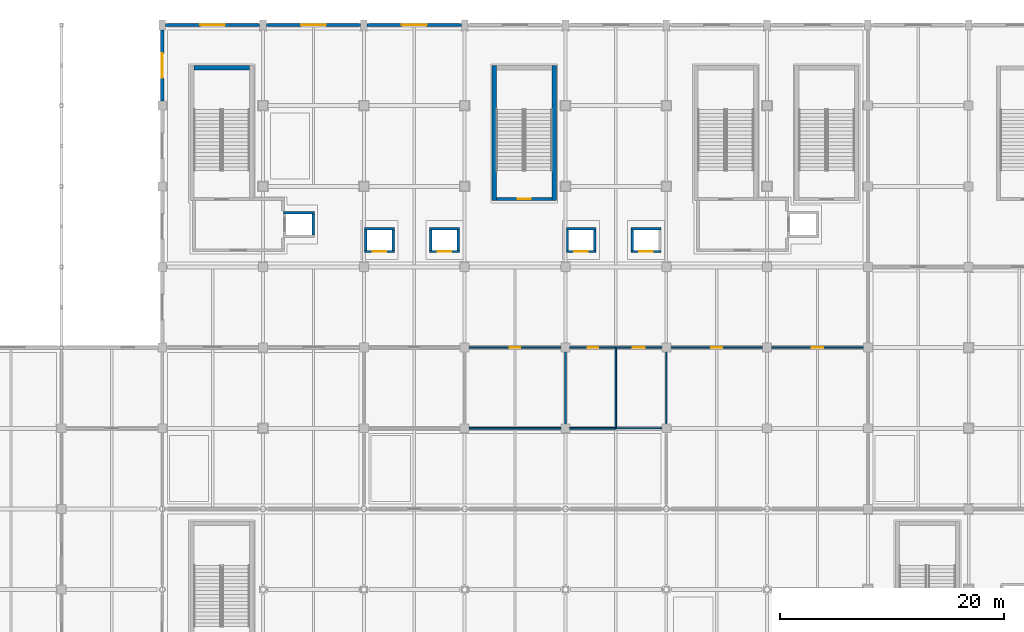
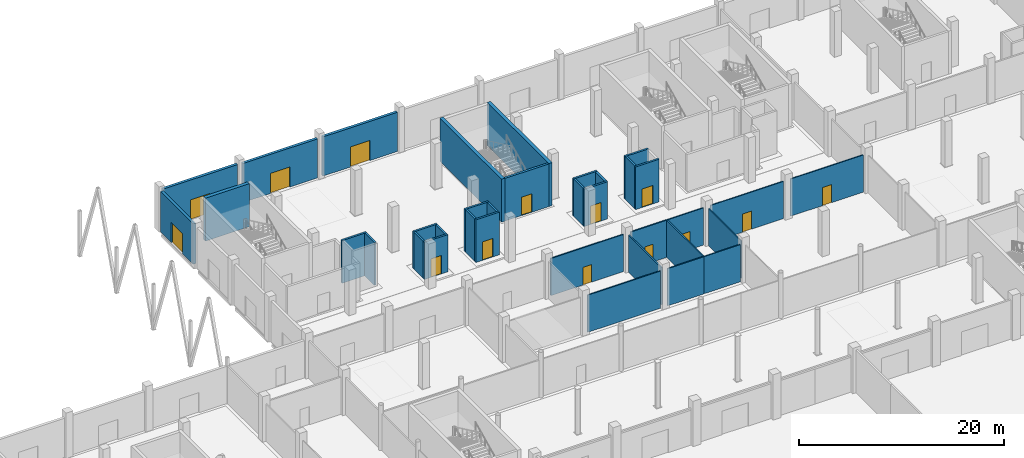
# One storey, part 96 of 137: 36 walls, 14 doors, 14 openings.
"""IFC4 building model written with IfcOpenShell, lengths in metres."""

from ifc_helpers import new_model, si_unit, direction, frame, frame_2d, origin, place, context, subcontext, project, spatial, rectangle, extrude, material, layer, layer_set, type_object, element, fill, save


model = new_model("IFC4")

# Units and contexts
model_context = context("Model", 3, precision=1e-05, world=origin(), true_north=direction((0.0, 1.0)))
body_context = subcontext(model_context, "Body", "Model", "MODEL_VIEW")
ifc_project = project(units=[si_unit("LENGTHUNIT", "METRE"), si_unit("AREAUNIT", "SQUARE_METRE"), si_unit("VOLUMEUNIT", "CUBIC_METRE"), si_unit("PLANEANGLEUNIT", "RADIAN"), si_unit("MASSUNIT", "GRAM", prefix="KILO")], contexts=[model_context])

# Site, building, storey
site_placement = place(None, origin())
site = spatial("IfcSite", under=ifc_project, at=site_placement, CompositionType="ELEMENT")
building_placement = place(site_placement, origin())
building = spatial("IfcBuilding", under=site, at=building_placement, Name="Celestram Park Convention Centre", CompositionType="ELEMENT")
storey_placement = place(building_placement, origin())
storey = spatial("IfcBuildingStorey", under=building, at=storey_placement, Name="L00", CompositionType="ELEMENT", Elevation=0.0)

# Wall, opening, door
ifc_material_1 = material(Name="Concrete Block Masonry C25/30", Category="masonry")
ifc_layer_1 = layer(ifc_material_1, 0.25)
ifc_layer_set_1 = layer_set([ifc_layer_1], Name="Concrete Block Masonry C25/30")
wall_type_1 = type_object("IfcWallType", Name="ARC-WL-COR250", PredefinedType="STANDARD", material=ifc_layer_set_1)
wall_1_placement = place(storey_placement, frame((70.800048828125, 150.074951171875, 0.0), z_axis=(0.0, 0.0, 1.0), x_axis=(-1.0, 0.0, 0.0)))
wall_1 = element("IfcWall", 1, at=wall_1_placement, inside=storey, type_object=wall_type_1, Name="Core S14 stair entrance wall", PredefinedType="STANDARD", context=body_context, shape_type="SweptSolid", body=[
    extrude(rectangle(XDim=4.9599609375, YDim=0.25, at=frame_2d((2.47998046875, 0.0))), origin(), (0.0, 0.0, 1.0), 5.080078125),
])
opening_1_placement = place(wall_1_placement, frame((1.905029296875, 0.0, 0.0)))
opening_1 = element("IfcOpeningElement", 2, at=opening_1_placement, cuts=wall_1, Name="Opening D-ST1", PredefinedType="OPENING", context=body_context, shape_type="SweptSolid", body=[
    extrude(rectangle(XDim=1.14990234375, YDim=2.199951171875, at=frame_2d((0.574951171875, 1.10009765625))), frame((0.0, 0.135009765625, 0.0), z_axis=(0.0, -1.0, 0.0), x_axis=(1.0, 0.0, 0.0)), (0.0, 0.0, 1.0), 0.27001953125),
])
ifc_material_2 = material(Name="Fire-Rated Hollow Metal Steel ASTM A653", Category="steel")
door_type_1 = type_object("IfcDoorType", Name="ARC-DR-ST115", OperationType="NOTDEFINED", PredefinedType="DOOR", material=ifc_material_2)
door_1_placement = place(opening_1_placement, origin())
door_1 = element("IfcDoor", 3, at=door_1_placement, inside=storey, type_object=door_type_1, Name="Exit stair ST-14 fire door", OperationType="SINGLE_SWING_LEFT", OverallHeight=2.199951171875, OverallWidth=1.14990234375, PredefinedType="DOOR", context=body_context, shape_type="SweptSolid", body=[
    extrude(rectangle(XDim=1.14990234375, YDim=2.199951171875, at=frame_2d((0.574951171875, 1.10009765625))), frame((0.0, 0.02490234375, 0.0), z_axis=(0.0, -1.0, 0.0), x_axis=(1.0, 0.0, 0.0)), (0.0, 0.0, 1.0), 0.050048828125),
])
fill(opening_1, door_1)

ifc_material_3 = material(Name="Precast Concrete C40/50", Category="concrete")
ifc_layer_2 = layer(ifc_material_3, 0.300048828125)
ifc_layer_set_2 = layer_set([ifc_layer_2], Name="Precast Concrete C40/50")
wall_type_2 = type_object("IfcWallType", Name="ARC-WL-EXT300", PredefinedType="STANDARD", material=ifc_layer_set_2)
wall_2_placement = place(storey_placement, frame((36.0, 158.798095703125, 0.0), z_axis=(0.0, 0.0, 1.0), x_axis=(0.0, 1.0, 0.0)))
wall_2 = element("IfcWall", 4, at=wall_2_placement, inside=storey, type_object=wall_type_2, Name="Bush-hammered precast exterior wall WL-L00-EW024", PredefinedType="STANDARD", context=body_context, shape_type="SweptSolid", body=[
    extrude(rectangle(XDim=6.35400390625, YDim=0.300048828125, at=frame_2d((3.177001953125, 0.0))), origin(), (0.0, 0.0, 1.0), 4.820068359375),
])
opening_2_placement = place(wall_2_placement, frame((2.076904296875, 0.0, 0.0)))
opening_2 = element("IfcOpeningElement", 5, at=opening_2_placement, cuts=wall_2, Name="Opening D-EX1", PredefinedType="OPENING", context=body_context, shape_type="SweptSolid", body=[
    extrude(rectangle(XDim=2.199951171875, YDim=2.39990234375, at=frame_2d((1.10009765625, 1.199951171875))), frame((0.0, 0.159912109375, 0.0), z_axis=(0.0, -1.0, 0.0), x_axis=(1.0, 0.0, 0.0)), (0.0, 0.0, 1.0), 0.320068359375),
])
ifc_material_4 = material(Name="Anodised Aluminium & Tempered Glass", Category="aluminium")
door_type_2 = type_object("IfcDoorType", Name="ARC-DR-EX2200", OperationType="NOTDEFINED", PredefinedType="DOOR", material=ifc_material_4)
door_2_placement = place(opening_2_placement, origin())
door_2 = element("IfcDoor", 6, at=door_2_placement, inside=storey, type_object=door_type_2, Name="Ground egress exit door DR-L00-EX23", OperationType="DOUBLE_DOOR_SINGLE_SWING", OverallHeight=2.39990234375, OverallWidth=2.199951171875, PredefinedType="DOOR", context=body_context, shape_type="SweptSolid", body=[
    extrude(rectangle(XDim=2.199951171875, YDim=2.39990234375, at=frame_2d((1.10009765625, 1.199951171875))), frame((0.0, 0.02490234375, 0.0), z_axis=(0.0, -1.0, 0.0), x_axis=(1.0, 0.0, 0.0)), (0.0, 0.0, 1.0), 0.050048828125),
])
fill(opening_2, door_2)

wall_3_placement = place(storey_placement, frame((36.298095703125, 165.60009765625, 0.0), z_axis=(0.0, 0.0, 1.0), x_axis=(1.0, 0.0, 0.0)))
wall_3 = element("IfcWall", 7, at=wall_3_placement, inside=storey, type_object=wall_type_2, Name="Bush-hammered precast exterior wall WL-L00-EW025", PredefinedType="STANDARD", context=body_context, shape_type="SweptSolid", body=[
    extrude(rectangle(XDim=8.40380859375, YDim=0.300048828125, at=frame_2d((4.201904296875, 0.0))), origin(), (0.0, 0.0, 1.0), 4.7470703125),
])
opening_3_placement = place(wall_3_placement, frame((3.10205078125, 0.0, 0.0)))
opening_3 = element("IfcOpeningElement", 8, at=opening_3_placement, cuts=wall_3, Name="Opening D-EX1", PredefinedType="OPENING", context=body_context, shape_type="SweptSolid", body=[
    extrude(rectangle(XDim=2.199951171875, YDim=2.39990234375, at=frame_2d((1.10009765625, 1.199951171875))), frame((0.0, 0.159912109375, 0.0), z_axis=(0.0, -1.0, 0.0), x_axis=(1.0, 0.0, 0.0)), (0.0, 0.0, 1.0), 0.320068359375),
])
door_3_placement = place(opening_3_placement, origin())
door_3 = element("IfcDoor", 9, at=door_3_placement, inside=storey, type_object=door_type_2, Name="Ground egress exit door DR-L00-EX24", OperationType="DOUBLE_DOOR_SINGLE_SWING", OverallHeight=2.39990234375, OverallWidth=2.199951171875, PredefinedType="DOOR", context=body_context, shape_type="SweptSolid", body=[
    extrude(rectangle(XDim=2.199951171875, YDim=2.39990234375, at=frame_2d((1.10009765625, 1.199951171875))), frame((0.0, 0.02490234375, 0.0), z_axis=(0.0, -1.0, 0.0), x_axis=(1.0, 0.0, 0.0)), (0.0, 0.0, 1.0), 0.050048828125),
])
fill(opening_3, door_3)

wall_4_placement = place(storey_placement, frame((45.298095703125, 165.60009765625, 0.0), z_axis=(0.0, 0.0, 1.0), x_axis=(1.0, 0.0, 0.0)))
wall_4 = element("IfcWall", 10, at=wall_4_placement, inside=storey, type_object=wall_type_2, Name="Bush-hammered precast exterior wall WL-L00-EW026", PredefinedType="STANDARD", context=body_context, shape_type="SweptSolid", body=[
    extrude(rectangle(XDim=8.40380859375, YDim=0.300048828125, at=frame_2d((4.201904296875, 0.0))), origin(), (0.0, 0.0, 1.0), 4.653076171875),
])
opening_4_placement = place(wall_4_placement, frame((3.10205078125, 0.0, 0.0)))
opening_4 = element("IfcOpeningElement", 11, at=opening_4_placement, cuts=wall_4, Name="Opening D-EX1", PredefinedType="OPENING", context=body_context, shape_type="SweptSolid", body=[
    extrude(rectangle(XDim=2.199951171875, YDim=2.39990234375, at=frame_2d((1.10009765625, 1.199951171875))), frame((0.0, 0.159912109375, 0.0), z_axis=(0.0, -1.0, 0.0), x_axis=(1.0, 0.0, 0.0)), (0.0, 0.0, 1.0), 0.320068359375),
])
door_4_placement = place(opening_4_placement, origin())
door_4 = element("IfcDoor", 12, at=door_4_placement, inside=storey, type_object=door_type_2, Name="Ground egress exit door DR-L00-EX25", OperationType="DOUBLE_DOOR_SINGLE_SWING", OverallHeight=2.39990234375, OverallWidth=2.199951171875, PredefinedType="DOOR", context=body_context, shape_type="SweptSolid", body=[
    extrude(rectangle(XDim=2.199951171875, YDim=2.39990234375, at=frame_2d((1.10009765625, 1.199951171875))), frame((0.0, 0.02490234375, 0.0), z_axis=(0.0, -1.0, 0.0), x_axis=(1.0, 0.0, 0.0)), (0.0, 0.0, 1.0), 0.050048828125),
])
fill(opening_4, door_4)

wall_5_placement = place(storey_placement, frame((54.298095703125, 165.60009765625, 0.0), z_axis=(0.0, 0.0, 1.0), x_axis=(1.0, 0.0, 0.0)))
wall_5 = element("IfcWall", 13, at=wall_5_placement, inside=storey, type_object=wall_type_2, Name="Bush-hammered precast exterior wall WL-L00-EW027", PredefinedType="STANDARD", context=body_context, shape_type="SweptSolid", body=[
    extrude(rectangle(XDim=8.40380859375, YDim=0.300048828125, at=frame_2d((4.201904296875, 0.0))), origin(), (0.0, 0.0, 1.0), 4.6630859375),
])
opening_5_placement = place(wall_5_placement, frame((3.10205078125, 0.0, 0.0)))
opening_5 = element("IfcOpeningElement", 14, at=opening_5_placement, cuts=wall_5, Name="Opening D-EX1", PredefinedType="OPENING", context=body_context, shape_type="SweptSolid", body=[
    extrude(rectangle(XDim=2.199951171875, YDim=2.39990234375, at=frame_2d((1.10009765625, 1.199951171875))), frame((0.0, 0.159912109375, 0.0), z_axis=(0.0, -1.0, 0.0), x_axis=(1.0, 0.0, 0.0)), (0.0, 0.0, 1.0), 0.320068359375),
])
door_5_placement = place(opening_5_placement, origin())
door_5 = element("IfcDoor", 15, at=door_5_placement, inside=storey, type_object=door_type_2, Name="Ground egress exit door DR-L00-EX26", OperationType="DOUBLE_DOOR_SINGLE_SWING", OverallHeight=2.39990234375, OverallWidth=2.199951171875, PredefinedType="DOOR", context=body_context, shape_type="SweptSolid", body=[
    extrude(rectangle(XDim=2.199951171875, YDim=2.39990234375, at=frame_2d((1.10009765625, 1.199951171875))), frame((0.0, 0.02490234375, 0.0), z_axis=(0.0, -1.0, 0.0), x_axis=(1.0, 0.0, 0.0)), (0.0, 0.0, 1.0), 0.050048828125),
])
fill(opening_5, door_5)

# Wall
ifc_material_5 = material(Name="Standard Gypsum & Steel Stud 120 mm", Category="steel")
ifc_layer_3 = layer(ifc_material_5, 0.1201171875)
ifc_layer_set_3 = layer_set([ifc_layer_3], Name="Standard Gypsum & Steel Stud 120 mm")
wall_type_3 = type_object("IfcWallType", Name="ARC-WL-PRT120", PredefinedType="PARTITIONING", material=ifc_layer_set_3)
wall_6_placement = place(storey_placement, frame((76.5, 129.60009765625, 0.0), z_axis=(0.0, 0.0, 1.0), x_axis=(1.0, 0.0, 0.0)))
element("IfcWall", 16, at=wall_6_placement, inside=storey, type_object=wall_type_3, Name="Interior partition WL-L00-IN0586", PredefinedType="PARTITIONING", context=body_context, shape_type="SweptSolid", body=[
    extrude(rectangle(XDim=4.10205078125, YDim=0.1201171875, at=frame_2d((2.051025390625, 0.0))), origin(), (0.0, 0.0, 1.0), 4.424072265625),
])

# Wall, opening, door
wall_7_placement = place(storey_placement, frame((76.5, 136.800048828125, 0.0), z_axis=(0.0, 0.0, 1.0), x_axis=(1.0, 0.0, 0.0)))
wall_7 = element("IfcWall", 17, at=wall_7_placement, inside=storey, type_object=wall_type_3, Name="Interior partition WL-L00-IN0592", PredefinedType="PARTITIONING", context=body_context, shape_type="SweptSolid", body=[
    extrude(rectangle(XDim=4.10205078125, YDim=0.1201171875, at=frame_2d((2.051025390625, 0.0))), origin(), (0.0, 0.0, 1.0), 4.424072265625),
])
opening_6_placement = place(wall_7_placement, frame((1.52587890625, 0.0, 0.0)))
opening_6 = element("IfcOpeningElement", 18, at=opening_6_placement, cuts=wall_7, Name="Opening D-06", PredefinedType="OPENING", context=body_context, shape_type="SweptSolid", body=[
    extrude(rectangle(XDim=1.050048828125, YDim=2.14990234375, at=frame_2d((0.52490234375, 1.074951171875))), frame((0.0, 0.070068359375, 0.0), z_axis=(0.0, -1.0, 0.0), x_axis=(1.0, 0.0, 0.0)), (0.0, 0.0, 1.0), 0.14013671875),
])
ifc_material_6 = material(Name="Solid Core White Oak Single Door", Category="wood")
door_type_3 = type_object("IfcDoorType", Name="ARC-DR-RM105", OperationType="NOTDEFINED", PredefinedType="DOOR", material=ifc_material_6)
door_6_placement = place(opening_6_placement, origin())
door_6 = element("IfcDoor", 19, at=door_6_placement, inside=storey, type_object=door_type_3, Name="Wellness & Nursing Suite L00 entrance door", OperationType="SINGLE_SWING_LEFT", OverallHeight=2.14990234375, OverallWidth=1.050048828125, PredefinedType="DOOR", context=body_context, shape_type="SweptSolid", body=[
    extrude(rectangle(XDim=1.050048828125, YDim=2.14990234375, at=frame_2d((0.52490234375, 1.074951171875))), frame((0.0, 0.02490234375, 0.0), z_axis=(0.0, -1.0, 0.0), x_axis=(1.0, 0.0, 0.0)), (0.0, 0.0, 1.0), 0.050048828125),
])
fill(opening_6, door_6)

wall_8_placement = place(storey_placement, frame((81.39794921875, 136.800048828125, 0.0), z_axis=(0.0, 0.0, 1.0), x_axis=(1.0, 0.0, 0.0)))
wall_8 = element("IfcWall", 20, at=wall_8_placement, inside=storey, type_object=wall_type_3, Name="Interior partition WL-L00-IN0593", PredefinedType="PARTITIONING", context=body_context, shape_type="SweptSolid", body=[
    extrude(rectangle(XDim=8.2041015625, YDim=0.1201171875, at=frame_2d((4.10205078125, 0.0))), origin(), (0.0, 0.0, 1.0), 4.424072265625),
])
opening_7_placement = place(wall_8_placement, frame((3.60205078125, 0.0, 0.0)))
opening_7 = element("IfcOpeningElement", 21, at=opening_7_placement, cuts=wall_8, Name="Opening D-07", PredefinedType="OPENING", context=body_context, shape_type="SweptSolid", body=[
    extrude(rectangle(XDim=1.0, YDim=2.14990234375, at=frame_2d((0.5, 1.074951171875))), frame((0.0, 0.070068359375, 0.0), z_axis=(0.0, -1.0, 0.0), x_axis=(1.0, 0.0, 0.0)), (0.0, 0.0, 1.0), 0.14013671875),
])
door_type_4 = type_object("IfcDoorType", Name="ARC-DR-RM100", OperationType="NOTDEFINED", PredefinedType="DOOR", material=ifc_material_6)
door_7_placement = place(opening_7_placement, origin())
door_7 = element("IfcDoor", 22, at=door_7_placement, inside=storey, type_object=door_type_4, Name="Exhibitor Business Centre entrance door", OperationType="SINGLE_SWING_RIGHT", OverallHeight=2.14990234375, OverallWidth=1.0, PredefinedType="DOOR", context=body_context, shape_type="SweptSolid", body=[
    extrude(rectangle(XDim=1.0, YDim=2.14990234375, at=frame_2d((0.5, 1.074951171875))), frame((0.0, 0.02490234375, 0.0), z_axis=(0.0, -1.0, 0.0), x_axis=(1.0, 0.0, 0.0)), (0.0, 0.0, 1.0), 0.050048828125),
])
fill(opening_7, door_7)

wall_9_placement = place(storey_placement, frame((90.39794921875, 136.800048828125, 0.0), z_axis=(0.0, 0.0, 1.0), x_axis=(1.0, 0.0, 0.0)))
wall_9 = element("IfcWall", 23, at=wall_9_placement, inside=storey, type_object=wall_type_3, Name="Interior partition WL-L00-IN0594", PredefinedType="PARTITIONING", context=body_context, shape_type="SweptSolid", body=[
    extrude(rectangle(XDim=8.2041015625, YDim=0.1201171875, at=frame_2d((4.10205078125, 0.0))), origin(), (0.0, 0.0, 1.0), 4.424072265625),
])
opening_8_placement = place(wall_9_placement, frame((3.576904296875, 0.0, 0.0)))
opening_8 = element("IfcOpeningElement", 24, at=opening_8_placement, cuts=wall_9, Name="Opening D-06", PredefinedType="OPENING", context=body_context, shape_type="SweptSolid", body=[
    extrude(rectangle(XDim=1.050048828125, YDim=2.14990234375, at=frame_2d((0.52490234375, 1.074951171875))), frame((0.0, 0.070068359375, 0.0), z_axis=(0.0, -1.0, 0.0), x_axis=(1.0, 0.0, 0.0)), (0.0, 0.0, 1.0), 0.14013671875),
])
door_8_placement = place(opening_8_placement, origin())
door_8 = element("IfcDoor", 25, at=door_8_placement, inside=storey, type_object=door_type_3, Name="Exhibitor Business Centre entrance door", OperationType="SINGLE_SWING_LEFT", OverallHeight=2.14990234375, OverallWidth=1.050048828125, PredefinedType="DOOR", context=body_context, shape_type="SweptSolid", body=[
    extrude(rectangle(XDim=1.050048828125, YDim=2.14990234375, at=frame_2d((0.52490234375, 1.074951171875))), frame((0.0, 0.02490234375, 0.0), z_axis=(0.0, -1.0, 0.0), x_axis=(1.0, 0.0, 0.0)), (0.0, 0.0, 1.0), 0.050048828125),
])
fill(opening_8, door_8)

# Walls
wall_10_placement = place(storey_placement, frame((81.0, 129.998046875, 0.0), z_axis=(0.0, 0.0, 1.0), x_axis=(0.0, 1.0, 0.0)))
element("IfcWall", 26, at=wall_10_placement, inside=storey, type_object=wall_type_3, Name="Interior partition WL-L00-IN0644", PredefinedType="PARTITIONING", context=body_context, shape_type="SweptSolid", body=[
    extrude(rectangle(XDim=6.404052734375, YDim=0.1201171875, at=frame_2d((3.2021484375, 0.0))), origin(), (0.0, 0.0, 1.0), 4.43701171875),
])
ifc_material_7 = material(Name="Moisture-Resistant Gypsum Partition 140 mm", Category="gypsum")
ifc_layer_4 = layer(ifc_material_7, 0.139892578125)
ifc_layer_set_4 = layer_set([ifc_layer_4], Name="Moisture-Resistant Gypsum Partition 140 mm")
wall_type_4 = type_object("IfcWallType", Name="ARC-WL-PRT140", PredefinedType="PARTITIONING", material=ifc_layer_set_4)
wall_11_placement = place(storey_placement, frame((63.39794921875, 129.60009765625, 0.0), z_axis=(0.0, 0.0, 1.0), x_axis=(1.0, 0.0, 0.0)))
element("IfcWall", 27, at=wall_11_placement, inside=storey, type_object=wall_type_4, Name="Interior partition WL-L00-IN0584", PredefinedType="PARTITIONING", context=body_context, shape_type="SweptSolid", body=[
    extrude(rectangle(XDim=8.2041015625, YDim=0.139892578125, at=frame_2d((4.10205078125, 0.0))), origin(), (0.0, 0.0, 1.0), 4.424072265625),
])
wall_12_placement = place(storey_placement, frame((72.39794921875, 129.60009765625, 0.0), z_axis=(0.0, 0.0, 1.0), x_axis=(1.0, 0.0, 0.0)))
element("IfcWall", 28, at=wall_12_placement, inside=storey, type_object=wall_type_4, Name="Interior partition WL-L00-IN0585", PredefinedType="PARTITIONING", context=body_context, shape_type="SweptSolid", body=[
    extrude(rectangle(XDim=4.10205078125, YDim=0.139892578125, at=frame_2d((2.051025390625, 0.0))), origin(), (0.0, 0.0, 1.0), 4.424072265625),
])

# Wall, opening, door
wall_13_placement = place(storey_placement, frame((63.39794921875, 136.800048828125, 0.0), z_axis=(0.0, 0.0, 1.0), x_axis=(1.0, 0.0, 0.0)))
wall_13 = element("IfcWall", 29, at=wall_13_placement, inside=storey, type_object=wall_type_4, Name="Interior partition WL-L00-IN0590", PredefinedType="PARTITIONING", context=body_context, shape_type="SweptSolid", body=[
    extrude(rectangle(XDim=8.2041015625, YDim=0.139892578125, at=frame_2d((4.10205078125, 0.0))), origin(), (0.0, 0.0, 1.0), 4.424072265625),
])
opening_9_placement = place(wall_13_placement, frame((3.626953125, 0.0, 0.0)))
opening_9 = element("IfcOpeningElement", 30, at=opening_9_placement, cuts=wall_13, Name="Opening D-08", PredefinedType="OPENING", context=body_context, shape_type="SweptSolid", body=[
    extrude(rectangle(XDim=0.949951171875, YDim=2.10009765625, at=frame_2d((0.47509765625, 1.050048828125))), frame((0.0, 0.079833984375, 0.0), z_axis=(0.0, -1.0, 0.0), x_axis=(1.0, 0.0, 0.0)), (0.0, 0.0, 1.0), 0.159912109375),
])
ifc_material_8 = material(Name="Laminate Moisture-Resistant Restroom Door", Category="wood")
door_type_5 = type_object("IfcDoorType", Name="ARC-DR-WC095", OperationType="NOTDEFINED", PredefinedType="DOOR", material=ifc_material_8)
door_9_placement = place(opening_9_placement, origin())
door_9 = element("IfcDoor", 31, at=door_9_placement, inside=storey, type_object=door_type_5, Name="Women Restroom L00 entrance door", OperationType="SINGLE_SWING_LEFT", OverallHeight=2.10009765625, OverallWidth=0.949951171875, PredefinedType="DOOR", context=body_context, shape_type="SweptSolid", body=[
    extrude(rectangle(XDim=0.949951171875, YDim=2.10009765625, at=frame_2d((0.47509765625, 1.050048828125))), frame((0.0, 0.02490234375, 0.0), z_axis=(0.0, -1.0, 0.0), x_axis=(1.0, 0.0, 0.0)), (0.0, 0.0, 1.0), 0.050048828125),
])
fill(opening_9, door_9)

wall_14_placement = place(storey_placement, frame((72.39794921875, 136.800048828125, 0.0), z_axis=(0.0, 0.0, 1.0), x_axis=(1.0, 0.0, 0.0)))
wall_14 = element("IfcWall", 32, at=wall_14_placement, inside=storey, type_object=wall_type_4, Name="Interior partition WL-L00-IN0591", PredefinedType="PARTITIONING", context=body_context, shape_type="SweptSolid", body=[
    extrude(rectangle(XDim=4.10205078125, YDim=0.139892578125, at=frame_2d((2.051025390625, 0.0))), origin(), (0.0, 0.0, 1.0), 4.424072265625),
])
opening_10_placement = place(wall_14_placement, frame((1.575927734375, 0.0, 0.0)))
opening_10 = element("IfcOpeningElement", 33, at=opening_10_placement, cuts=wall_14, Name="Opening D-08", PredefinedType="OPENING", context=body_context, shape_type="SweptSolid", body=[
    extrude(rectangle(XDim=0.949951171875, YDim=2.10009765625, at=frame_2d((0.47509765625, 1.050048828125))), frame((0.0, 0.079833984375, 0.0), z_axis=(0.0, -1.0, 0.0), x_axis=(1.0, 0.0, 0.0)), (0.0, 0.0, 1.0), 0.159912109375),
])
door_10_placement = place(opening_10_placement, origin())
door_10 = element("IfcDoor", 34, at=door_10_placement, inside=storey, type_object=door_type_5, Name="Accessible Restroom L00 entrance door", OperationType="SINGLE_SWING_RIGHT", OverallHeight=2.10009765625, OverallWidth=0.949951171875, PredefinedType="DOOR", context=body_context, shape_type="SweptSolid", body=[
    extrude(rectangle(XDim=0.949951171875, YDim=2.10009765625, at=frame_2d((0.47509765625, 1.050048828125))), frame((0.0, 0.02490234375, 0.0), z_axis=(0.0, -1.0, 0.0), x_axis=(1.0, 0.0, 0.0)), (0.0, 0.0, 1.0), 0.050048828125),
])
fill(opening_10, door_10)

# Walls
wall_15_placement = place(storey_placement, frame((72.0, 129.998046875, 0.0), z_axis=(0.0, 0.0, 1.0), x_axis=(0.0, 1.0, 0.0)))
element("IfcWall", 35, at=wall_15_placement, inside=storey, type_object=wall_type_4, Name="Interior partition WL-L00-IN0629", PredefinedType="PARTITIONING", context=body_context, shape_type="SweptSolid", body=[
    extrude(rectangle(XDim=6.404052734375, YDim=0.139892578125, at=frame_2d((3.2021484375, 0.0))), origin(), (0.0, 0.0, 1.0), 4.43701171875),
])
wall_16_placement = place(storey_placement, frame((76.5, 129.60009765625, 0.0), z_axis=(0.0, 0.0, 1.0), x_axis=(0.0, 1.0, 0.0)))
element("IfcWall", 36, at=wall_16_placement, inside=storey, type_object=wall_type_4, Name="Interior partition WL-L00-IN0630", PredefinedType="PARTITIONING", context=body_context, shape_type="SweptSolid", body=[
    extrude(rectangle(XDim=7.199951171875, YDim=0.139892578125, at=frame_2d((3.60009765625, 0.0))), origin(), (0.0, 0.0, 1.0), 4.424072265625),
])
ifc_layer_5 = layer(ifc_material_1, 0.219970703125)
ifc_layer_set_5 = layer_set([ifc_layer_5], Name="Concrete Block Masonry C25/30")
wall_type_5 = type_object("IfcWallType", Name="ARC-WL-SHF220", PredefinedType="STANDARD", material=ifc_layer_set_5)
wall_17_placement = place(storey_placement, frame((49.580078125, 148.844970703125, 0.0), z_axis=(0.0, 0.0, 1.0), x_axis=(-1.0, 0.0, 0.0)))
element("IfcWall", 37, at=wall_17_placement, inside=storey, type_object=wall_type_5, Name="Lift LF-01 shaft wall N", PredefinedType="STANDARD", context=body_context, shape_type="SweptSolid", body=[
    extrude(rectangle(XDim=2.760009765625, YDim=0.219970703125, at=frame_2d((1.3798828125, 0.0))), origin(), (0.0, 0.0, 1.0), 5.080078125),
])
wall_18_placement = place(storey_placement, frame((49.469970703125, 146.864990234375, 0.0), z_axis=(0.0, 0.0, 1.0), x_axis=(0.0, 1.0, 0.0)))
element("IfcWall", 38, at=wall_18_placement, inside=storey, type_object=wall_type_5, Name="Lift LF-01 shaft wall E", PredefinedType="STANDARD", context=body_context, shape_type="SweptSolid", body=[
    extrude(rectangle(XDim=1.8701171875, YDim=0.219970703125, at=frame_2d((0.93505859375, 0.0))), origin(), (0.0, 0.0, 1.0), 5.080078125),
])

# Wall, opening, door
wall_19_placement = place(storey_placement, frame((54.070068359375, 145.3798828125, 0.0), z_axis=(0.0, 0.0, 1.0), x_axis=(1.0, 0.0, 0.0)))
wall_19 = element("IfcWall", 39, at=wall_19_placement, inside=storey, type_object=wall_type_5, Name="Lift LP-01 shaft wall S", PredefinedType="STANDARD", context=body_context, shape_type="SweptSolid", body=[
    extrude(rectangle(XDim=2.659912109375, YDim=0.219970703125, at=frame_2d((1.330078125, 0.0))), origin(), (0.0, 0.0, 1.0), 4.43701171875),
])
opening_11_placement = place(wall_19_placement, frame((0.72998046875, 0.0, 0.0)))
opening_11 = element("IfcOpeningElement", 40, at=opening_11_placement, cuts=wall_19, Name="Opening LD-01", PredefinedType="OPENING", context=body_context, shape_type="SweptSolid", body=[
    extrude(rectangle(XDim=1.199951171875, YDim=2.199951171875, at=frame_2d((0.60009765625, 1.10009765625))), frame((0.0, 0.119873046875, 0.0), z_axis=(0.0, -1.0, 0.0), x_axis=(1.0, 0.0, 0.0)), (0.0, 0.0, 1.0), 0.239990234375),
])
ifc_material_9 = material(Name="Brushed Stainless Steel AISI 304", Category="steel")
door_type_6 = type_object("IfcDoorType", Name="ARC-DR-LFT120", OperationType="NOTDEFINED", PredefinedType="DOOR", material=ifc_material_9)
door_11_placement = place(opening_11_placement, origin())
door_11 = element("IfcDoor", 41, at=door_11_placement, inside=storey, type_object=door_type_6, Name="Lift LP-01 sliding landing door", OperationType="DOUBLE_DOOR_SLIDING", OverallHeight=2.199951171875, OverallWidth=1.199951171875, PredefinedType="DOOR", context=body_context, shape_type="SweptSolid", body=[
    extrude(rectangle(XDim=1.199951171875, YDim=2.199951171875, at=frame_2d((0.60009765625, 1.10009765625))), frame((0.0, 0.02490234375, 0.0), z_axis=(0.0, -1.0, 0.0), x_axis=(1.0, 0.0, 0.0)), (0.0, 0.0, 1.0), 0.050048828125),
])
fill(opening_11, door_11)

# Walls
wall_20_placement = place(storey_placement, frame((56.72998046875, 147.419921875, 0.0), z_axis=(0.0, 0.0, 1.0), x_axis=(-1.0, 0.0, 0.0)))
element("IfcWall", 42, at=wall_20_placement, inside=storey, type_object=wall_type_5, Name="Lift LP-01 shaft wall N", PredefinedType="STANDARD", context=body_context, shape_type="SweptSolid", body=[
    extrude(rectangle(XDim=2.659912109375, YDim=0.219970703125, at=frame_2d((1.330078125, 0.0))), origin(), (0.0, 0.0, 1.0), 4.43701171875),
])
for number, where, z_axis, x_axis, name in (
    (43, (54.179931640625, 147.31005859375, 0.0), (0.0, 0.0, 1.0), (0.0, -1.0, 0.0), "Lift LP-01 shaft wall W"),
    (44, (56.6201171875, 145.489990234375, 0.0), (0.0, 0.0, 1.0), (0.0, 1.0, 0.0), "Lift LP-01 shaft wall E"),
):
    element("IfcWall", number, at=place(storey_placement, frame(where, z_axis=z_axis, x_axis=x_axis)), inside=storey, type_object=wall_type_5, Name=name, PredefinedType="STANDARD", context=body_context, shape_type="SweptSolid", body=[
        extrude(rectangle(XDim=1.820068359375, YDim=0.219970703125, at=frame_2d((0.91015625, 0.0))), origin(), (0.0, 0.0, 1.0), 4.43701171875),
    ])

# Wall, opening, door
wall_21_placement = place(storey_placement, frame((59.8701171875, 145.3798828125, 0.0), z_axis=(0.0, 0.0, 1.0), x_axis=(1.0, 0.0, 0.0)))
wall_21 = element("IfcWall", 45, at=wall_21_placement, inside=storey, type_object=wall_type_5, Name="Lift LP-02 shaft wall S", PredefinedType="STANDARD", context=body_context, shape_type="SweptSolid", body=[
    extrude(rectangle(XDim=2.659912109375, YDim=0.219970703125, at=frame_2d((1.330078125, 0.0))), origin(), (0.0, 0.0, 1.0), 5.080078125),
])
opening_12_placement = place(wall_21_placement, frame((0.72998046875, 0.0, 0.0)))
opening_12 = element("IfcOpeningElement", 46, at=opening_12_placement, cuts=wall_21, Name="Opening LD-01", PredefinedType="OPENING", context=body_context, shape_type="SweptSolid", body=[
    extrude(rectangle(XDim=1.199951171875, YDim=2.199951171875, at=frame_2d((0.60009765625, 1.10009765625))), frame((0.0, 0.119873046875, 0.0), z_axis=(0.0, -1.0, 0.0), x_axis=(1.0, 0.0, 0.0)), (0.0, 0.0, 1.0), 0.239990234375),
])
door_12_placement = place(opening_12_placement, origin())
door_12 = element("IfcDoor", 47, at=door_12_placement, inside=storey, type_object=door_type_6, Name="Lift LP-02 sliding landing door", OperationType="DOUBLE_DOOR_SLIDING", OverallHeight=2.199951171875, OverallWidth=1.199951171875, PredefinedType="DOOR", context=body_context, shape_type="SweptSolid", body=[
    extrude(rectangle(XDim=1.199951171875, YDim=2.199951171875, at=frame_2d((0.60009765625, 1.10009765625))), frame((0.0, 0.02490234375, 0.0), z_axis=(0.0, -1.0, 0.0), x_axis=(1.0, 0.0, 0.0)), (0.0, 0.0, 1.0), 0.050048828125),
])
fill(opening_12, door_12)

# Walls
wall_22_placement = place(storey_placement, frame((62.530029296875, 147.419921875, 0.0), z_axis=(0.0, 0.0, 1.0), x_axis=(-1.0, 0.0, 0.0)))
element("IfcWall", 48, at=wall_22_placement, inside=storey, type_object=wall_type_5, Name="Lift LP-02 shaft wall N", PredefinedType="STANDARD", context=body_context, shape_type="SweptSolid", body=[
    extrude(rectangle(XDim=2.659912109375, YDim=0.219970703125, at=frame_2d((1.330078125, 0.0))), origin(), (0.0, 0.0, 1.0), 5.080078125),
])
for number, where, z_axis, x_axis, name in (
    (49, (59.97998046875, 147.31005859375, 0.0), (0.0, 0.0, 1.0), (0.0, -1.0, 0.0), "Lift LP-02 shaft wall W"),
    (50, (62.419921875, 145.489990234375, 0.0), (0.0, 0.0, 1.0), (0.0, 1.0, 0.0), "Lift LP-02 shaft wall E"),
):
    element("IfcWall", number, at=place(storey_placement, frame(where, z_axis=z_axis, x_axis=x_axis)), inside=storey, type_object=wall_type_5, Name=name, PredefinedType="STANDARD", context=body_context, shape_type="SweptSolid", body=[
        extrude(rectangle(XDim=1.820068359375, YDim=0.219970703125, at=frame_2d((0.91015625, 0.0))), origin(), (0.0, 0.0, 1.0), 5.080078125),
    ])

# Wall, opening, door
wall_23_placement = place(storey_placement, frame((72.070068359375, 145.3798828125, 0.0), z_axis=(0.0, 0.0, 1.0), x_axis=(1.0, 0.0, 0.0)))
wall_23 = element("IfcWall", 51, at=wall_23_placement, inside=storey, type_object=wall_type_5, Name="Lift LP-03 shaft wall S", PredefinedType="STANDARD", context=body_context, shape_type="SweptSolid", body=[
    extrude(rectangle(XDim=2.659912109375, YDim=0.219970703125, at=frame_2d((1.330078125, 0.0))), origin(), (0.0, 0.0, 1.0), 4.43701171875),
])
opening_13_placement = place(wall_23_placement, frame((0.72998046875, 0.0, 0.0)))
opening_13 = element("IfcOpeningElement", 52, at=opening_13_placement, cuts=wall_23, Name="Opening LD-01", PredefinedType="OPENING", context=body_context, shape_type="SweptSolid", body=[
    extrude(rectangle(XDim=1.199951171875, YDim=2.199951171875, at=frame_2d((0.60009765625, 1.10009765625))), frame((0.0, 0.119873046875, 0.0), z_axis=(0.0, -1.0, 0.0), x_axis=(1.0, 0.0, 0.0)), (0.0, 0.0, 1.0), 0.239990234375),
])
door_13_placement = place(opening_13_placement, origin())
door_13 = element("IfcDoor", 53, at=door_13_placement, inside=storey, type_object=door_type_6, Name="Lift LP-03 sliding landing door", OperationType="DOUBLE_DOOR_SLIDING", OverallHeight=2.199951171875, OverallWidth=1.199951171875, PredefinedType="DOOR", context=body_context, shape_type="SweptSolid", body=[
    extrude(rectangle(XDim=1.199951171875, YDim=2.199951171875, at=frame_2d((0.60009765625, 1.10009765625))), frame((0.0, 0.02490234375, 0.0), z_axis=(0.0, -1.0, 0.0), x_axis=(1.0, 0.0, 0.0)), (0.0, 0.0, 1.0), 0.050048828125),
])
fill(opening_13, door_13)

# Walls
wall_24_placement = place(storey_placement, frame((74.72998046875, 147.419921875, 0.0), z_axis=(0.0, 0.0, 1.0), x_axis=(-1.0, 0.0, 0.0)))
element("IfcWall", 54, at=wall_24_placement, inside=storey, type_object=wall_type_5, Name="Lift LP-03 shaft wall N", PredefinedType="STANDARD", context=body_context, shape_type="SweptSolid", body=[
    extrude(rectangle(XDim=2.659912109375, YDim=0.219970703125, at=frame_2d((1.330078125, 0.0))), origin(), (0.0, 0.0, 1.0), 4.43701171875),
])
for number, where, z_axis, x_axis, name in (
    (55, (72.179931640625, 147.31005859375, 0.0), (0.0, 0.0, 1.0), (0.0, -1.0, 0.0), "Lift LP-03 shaft wall W"),
    (56, (74.6201171875, 145.489990234375, 0.0), (0.0, 0.0, 1.0), (0.0, 1.0, 0.0), "Lift LP-03 shaft wall E"),
):
    element("IfcWall", number, at=place(storey_placement, frame(where, z_axis=z_axis, x_axis=x_axis)), inside=storey, type_object=wall_type_5, Name=name, PredefinedType="STANDARD", context=body_context, shape_type="SweptSolid", body=[
        extrude(rectangle(XDim=1.820068359375, YDim=0.219970703125, at=frame_2d((0.91015625, 0.0))), origin(), (0.0, 0.0, 1.0), 4.43701171875),
    ])

# Wall, opening, door
wall_25_placement = place(storey_placement, frame((77.8701171875, 145.3798828125, 0.0), z_axis=(0.0, 0.0, 1.0), x_axis=(1.0, 0.0, 0.0)))
wall_25 = element("IfcWall", 57, at=wall_25_placement, inside=storey, type_object=wall_type_5, Name="Lift LP-04 shaft wall S", PredefinedType="STANDARD", context=body_context, shape_type="SweptSolid", body=[
    extrude(rectangle(XDim=2.659912109375, YDim=0.219970703125, at=frame_2d((1.330078125, 0.0))), origin(), (0.0, 0.0, 1.0), 5.080078125),
])
opening_14_placement = place(wall_25_placement, frame((0.72998046875, 0.0, 0.0)))
opening_14 = element("IfcOpeningElement", 58, at=opening_14_placement, cuts=wall_25, Name="Opening LD-01", PredefinedType="OPENING", context=body_context, shape_type="SweptSolid", body=[
    extrude(rectangle(XDim=1.199951171875, YDim=2.199951171875, at=frame_2d((0.60009765625, 1.10009765625))), frame((0.0, 0.119873046875, 0.0), z_axis=(0.0, -1.0, 0.0), x_axis=(1.0, 0.0, 0.0)), (0.0, 0.0, 1.0), 0.239990234375),
])
door_14_placement = place(opening_14_placement, origin())
door_14 = element("IfcDoor", 59, at=door_14_placement, inside=storey, type_object=door_type_6, Name="Lift LP-04 sliding landing door", OperationType="DOUBLE_DOOR_SLIDING", OverallHeight=2.199951171875, OverallWidth=1.199951171875, PredefinedType="DOOR", context=body_context, shape_type="SweptSolid", body=[
    extrude(rectangle(XDim=1.199951171875, YDim=2.199951171875, at=frame_2d((0.60009765625, 1.10009765625))), frame((0.0, 0.02490234375, 0.0), z_axis=(0.0, -1.0, 0.0), x_axis=(1.0, 0.0, 0.0)), (0.0, 0.0, 1.0), 0.050048828125),
])
fill(opening_14, door_14)

# Walls
wall_26_placement = place(storey_placement, frame((80.530029296875, 147.419921875, 0.0), z_axis=(0.0, 0.0, 1.0), x_axis=(-1.0, 0.0, 0.0)))
element("IfcWall", 60, at=wall_26_placement, inside=storey, type_object=wall_type_5, Name="Lift LP-04 shaft wall N", PredefinedType="STANDARD", context=body_context, shape_type="SweptSolid", body=[
    extrude(rectangle(XDim=2.659912109375, YDim=0.219970703125, at=frame_2d((1.330078125, 0.0))), origin(), (0.0, 0.0, 1.0), 5.080078125),
])
wall_27_placement = place(storey_placement, frame((77.97998046875, 147.31005859375, 0.0), z_axis=(0.0, 0.0, 1.0), x_axis=(0.0, -1.0, 0.0)))
element("IfcWall", 61, at=wall_27_placement, inside=storey, type_object=wall_type_5, Name="Lift LP-04 shaft wall W", PredefinedType="STANDARD", context=body_context, shape_type="SweptSolid", body=[
    extrude(rectangle(XDim=1.820068359375, YDim=0.219970703125, at=frame_2d((0.91015625, 0.0))), origin(), (0.0, 0.0, 1.0), 5.080078125),
])
ifc_material_10 = material(Name="Concrete C40/50", Category="concrete")
ifc_layer_6 = layer(ifc_material_10, 0.3798828125)
ifc_layer_set_6 = layer_set([ifc_layer_6], Name="Concrete C40/50")
wall_type_6 = type_object("IfcWallType", Name="STR-WL-SHR380", PredefinedType="SHEAR", material=ifc_layer_set_6)
wall_28_placement = place(storey_placement, frame((38.840087890625, 161.7900390625, 0.0), z_axis=(0.0, 0.0, 1.0), x_axis=(1.0, 0.0, 0.0)))
element("IfcWall", 62, at=wall_28_placement, inside=storey, type_object=wall_type_6, Name="Core C1 shear wall F", PredefinedType="SHEAR", context=body_context, shape_type="SweptSolid", body=[
    extrude(rectangle(XDim=4.9599609375, YDim=0.3798828125, at=frame_2d((2.47998046875, 0.0))), origin(), (0.0, 0.0, 1.0), 5.1201171875),
])
for number, where, z_axis, x_axis, name in (
    (63, (65.64990234375, 149.949951171875, 0.0), (0.0, 0.0, 1.0), (0.0, 1.0, 0.0), "Core S14 shear wall L"),
    (64, (70.989990234375, 161.97998046875, 0.0), (0.0, 0.0, 1.0), (0.0, -1.0, 0.0), "Core S14 shear wall R"),
):
    element("IfcWall", number, at=place(storey_placement, frame(where, z_axis=z_axis, x_axis=x_axis)), inside=storey, type_object=wall_type_6, Name=name, PredefinedType="SHEAR", context=body_context, shape_type="SweptSolid", body=[
        extrude(rectangle(XDim=12.030029296875, YDim=0.3798828125, at=frame_2d((6.01513671875, 0.0))), origin(), (0.0, 0.0, 1.0), 5.1201171875),
    ])

save(model, "model.ifc")
